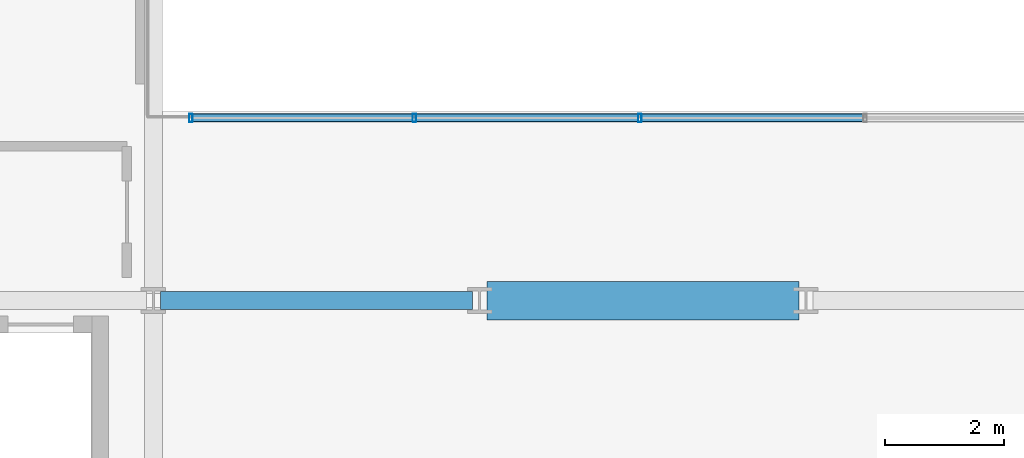
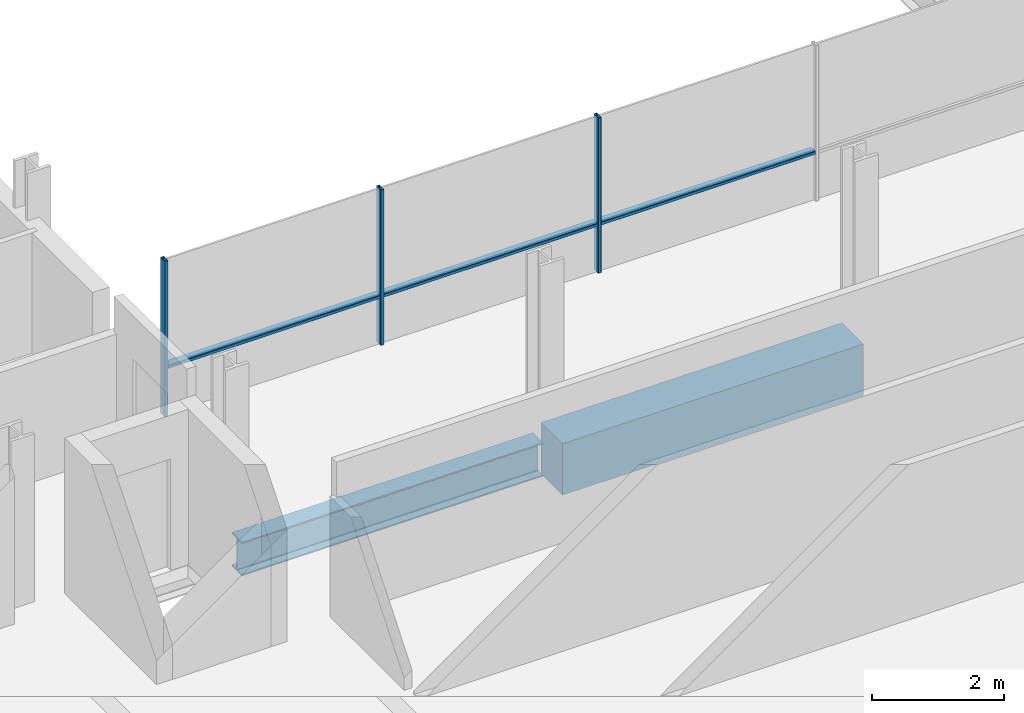
# One storey, part 4 of 40: 6 members, 2 beams, 1 element without a shape of its own.
"""IFC4 building model written with IfcOpenShell, lengths in metres."""

from ifc_helpers import new_model, si_unit, direction, frame, origin, origin_2d, place, context, subcontext, project, spatial, rectangle, hollow_rectangle, i_section, extrude, material, layer, layer_set, material_profile, profile_set, type_object, element, aggregate, save


model = new_model("IFC4")

# Units and contexts
model_context = context("Model", 3, precision=1e-05, world=origin(), true_north=direction((0.0, 1.0)))
body_context = subcontext(model_context, "Body", "Model", "MODEL_VIEW")
ifc_project = project(units=[si_unit("LENGTHUNIT", "METRE"), si_unit("AREAUNIT", "SQUARE_METRE"), si_unit("VOLUMEUNIT", "CUBIC_METRE"), si_unit("PLANEANGLEUNIT", "RADIAN"), si_unit("MASSUNIT", "GRAM", prefix="KILO")], contexts=[model_context])

# Site, building, storey
site_placement = place(None, origin())
site = spatial("IfcSite", under=ifc_project, at=site_placement, CompositionType="ELEMENT")
building_placement = place(site_placement, origin())
building = spatial("IfcBuilding", under=site, at=building_placement, Name="Brevholm Reach", CompositionType="ELEMENT")
storey_placement = place(building_placement, frame((0.0, 0.0, 62.10009765625)))
storey = spatial("IfcBuildingStorey", under=building, at=storey_placement, Name="L17", CompositionType="ELEMENT", Elevation=62.10009765625)

# Beams
ifc_material_1 = material(Name="Concrete C60/75", Category="concrete")
ifc_material_profile_1 = material_profile(ifc_material_1, rectangle(XDim=0.64990234375, YDim=0.949951171875, at=origin_2d()), Name="RC 650x950")
ifc_profile_set_1 = profile_set([ifc_material_profile_1], Name="Concrete C60/75")
beam_type_1 = type_object("IfcBeamType", Name="BM-CB650", PredefinedType="LINTEL", material=ifc_profile_set_1)
beam_1_placement = place(storey_placement, frame((27.3701171875, 10.0, -0.705078125), z_axis=(1.0, 0.0, 0.0), x_axis=(0.0, 1.0, 0.0)))
element("IfcBeam", 1, at=beam_1_placement, inside=storey, type_object=beam_type_1, Name="L17 CB-01 Framing Beam", PredefinedType="LINTEL", context=body_context, shape_type="SweptSolid", body=[
    extrude(rectangle(XDim=0.64990234375, YDim=0.949951171875, at=origin_2d()), origin(), (0.0, 0.0, 1.0), 5.259765625),
])
ifc_material_2 = material(Name="Structural Steel S355J2", Category="steel")
ifc_material_profile_2 = material_profile(ifc_material_2, i_section(OverallWidth=0.30712890625, OverallDepth=0.6201171875, WebThickness=0.01416015625, FlangeThickness=0.023681640625, FilletRadius=0.0166015625, at=origin_2d()), Name="UKB 610x305x179")
ifc_profile_set_2 = profile_set([ifc_material_profile_2], Name="Structural Steel S355J2")
beam_type_2 = type_object("IfcBeamType", Name="BM-UKB610H", PredefinedType="USERDEFINED", material=ifc_profile_set_2)
beam_2_placement = place(storey_placement, frame((21.8701171875, 10.0, -0.540283203125), z_axis=(1.0, 0.0, 0.0), x_axis=(0.0, 1.0, 0.0)))
element("IfcBeam", 2, at=beam_2_placement, inside=storey, type_object=beam_type_2, Name="L17 G-06 Framing Beam", ObjectType="GIRDER", PredefinedType="USERDEFINED", context=body_context, shape_type="SweptSolid", body=[
    extrude(i_section(OverallWidth=0.30712890625, OverallDepth=0.6201171875, WebThickness=0.01416015625, FlangeThickness=0.023681640625, FilletRadius=0.0166015625, at=origin_2d()), origin(), (0.0, 0.0, 1.0), 5.259765625),
])

# Curtain wall, members
ifc_material_3 = material(Name="Dark Anodised Aluminium 6063-T6 and Solar-Control Glass", Category="aluminium")
ifc_layer = layer(ifc_material_3, 0.139892578125)
ifc_layer_set = layer_set([ifc_layer], Name="Dark Anodised Aluminium 6063-T6 and Solar-Control Glass")
curtain_wall_type = type_object("IfcCurtainWallType", Name="CW-02", PredefinedType="NOTDEFINED", material=ifc_layer_set)
curtain_wall_placement = place(storey_placement, origin())
curtain_wall = element("IfcCurtainWall", 3, at=curtain_wall_placement, inside=storey, type_object=curtain_wall_type, Name="L17 Curtain Wall CW-02", PredefinedType="NOTDEFINED")
ifc_material_4 = material(Name="Dark Anodised Aluminium 6063-T6", Category="aluminium")
ifc_material_profile_3 = material_profile(ifc_material_4, hollow_rectangle(XDim=0.06005859375, YDim=0.139892578125, WallThickness=0.0048828125, InnerFilletRadius=0.0048828125, OuterFilletRadius=0.010009765625, at=origin_2d()), Name="RHS 140x60x5")
ifc_profile_set_3 = profile_set([ifc_material_profile_3], Name="Dark Anodised Aluminium 6063-T6")
member_type_1 = type_object("IfcMemberType", Name="CWM-140", PredefinedType="MULLION", material=ifc_profile_set_3)
member_1_placement = place(storey_placement, frame((22.3798828125, 13.080078125, 0.0), z_axis=(0.0, 0.0, 1.0), x_axis=(1.0, 0.0, 0.0)))
member_1 = element("IfcMember", 4, at=member_1_placement, type_object=member_type_1, Name="CM-140 Mullion 1", PredefinedType="MULLION", context=body_context, shape_type="SweptSolid", body=[
    extrude(hollow_rectangle(XDim=0.06005859375, YDim=0.139892578125, WallThickness=0.0048828125, InnerFilletRadius=0.0048828125, OuterFilletRadius=0.010009765625, at=origin_2d()), origin(), (0.0, 0.0, 1.0), 2.869873046875),
])
member_2_placement = place(storey_placement, frame((26.14990234375, 13.080078125, 0.0), z_axis=(0.0, 0.0, 1.0), x_axis=(1.0, 0.0, 0.0)))
member_2 = element("IfcMember", 5, at=member_2_placement, type_object=member_type_1, Name="CM-140 Mullion 2", PredefinedType="MULLION", context=body_context, shape_type="SweptSolid", body=[
    extrude(hollow_rectangle(XDim=0.06005859375, YDim=0.139892578125, WallThickness=0.0048828125, InnerFilletRadius=0.0048828125, OuterFilletRadius=0.010009765625, at=origin_2d()), origin(), (0.0, 0.0, 1.0), 2.869873046875),
])
member_3_placement = place(storey_placement, frame((29.949951171875, 13.080078125, 0.0), z_axis=(0.0, 0.0, 1.0), x_axis=(1.0, 0.0, 0.0)))
member_3 = element("IfcMember", 6, at=member_3_placement, type_object=member_type_1, Name="CM-140 Mullion 3", PredefinedType="MULLION", context=body_context, shape_type="SweptSolid", body=[
    extrude(hollow_rectangle(XDim=0.06005859375, YDim=0.139892578125, WallThickness=0.0048828125, InnerFilletRadius=0.0048828125, OuterFilletRadius=0.010009765625, at=origin_2d()), origin(), (0.0, 0.0, 1.0), 2.869873046875),
])
ifc_material_5 = material(Name="Dark Anodised Aluminium 6063-T6", Category="aluminium")
ifc_material_profile_4 = material_profile(ifc_material_5, hollow_rectangle(XDim=0.06005859375, YDim=0.139892578125, WallThickness=0.0048828125, InnerFilletRadius=0.0048828125, OuterFilletRadius=0.010009765625, at=origin_2d()), Name="RHS 140x60x5")
ifc_profile_set_4 = profile_set([ifc_material_profile_4], Name="Dark Anodised Aluminium 6063-T6")
member_type_2 = type_object("IfcMemberType", Name="CWT-140", PredefinedType="NOTDEFINED", material=ifc_profile_set_4)
member_4_placement = place(storey_placement, frame((22.409912109375, 13.080078125, 0.89990234375), z_axis=(1.0, 0.0, 0.0), x_axis=(0.0, 0.0, 1.0)))
member_4 = element("IfcMember", 7, at=member_4_placement, type_object=member_type_2, Name="CT-140 Transom 1.1", ObjectType="TRANSOM", PredefinedType="USERDEFINED", context=body_context, shape_type="SweptSolid", body=[
    extrude(hollow_rectangle(XDim=0.06005859375, YDim=0.139892578125, WallThickness=0.0048828125, InnerFilletRadius=0.0048828125, OuterFilletRadius=0.010009765625, at=origin_2d()), origin(), (0.0, 0.0, 1.0), 3.710205078125),
])
member_5_placement = place(storey_placement, frame((26.179931640625, 13.080078125, 0.89990234375), z_axis=(1.0, 0.0, 0.0), x_axis=(0.0, 0.0, 1.0)))
member_5 = element("IfcMember", 8, at=member_5_placement, type_object=member_type_2, Name="CT-140 Transom 2.1", ObjectType="TRANSOM", PredefinedType="USERDEFINED", context=body_context, shape_type="SweptSolid", body=[
    extrude(hollow_rectangle(XDim=0.06005859375, YDim=0.139892578125, WallThickness=0.0048828125, InnerFilletRadius=0.0048828125, OuterFilletRadius=0.010009765625, at=origin_2d()), origin(), (0.0, 0.0, 1.0), 3.739990234375),
])
member_6_placement = place(storey_placement, frame((29.97998046875, 13.080078125, 0.89990234375), z_axis=(1.0, 0.0, 0.0), x_axis=(0.0, 0.0, 1.0)))
member_6 = element("IfcMember", 9, at=member_6_placement, type_object=member_type_2, Name="CT-140 Transom 3.1", ObjectType="TRANSOM", PredefinedType="USERDEFINED", context=body_context, shape_type="SweptSolid", body=[
    extrude(hollow_rectangle(XDim=0.06005859375, YDim=0.139892578125, WallThickness=0.0048828125, InnerFilletRadius=0.0048828125, OuterFilletRadius=0.010009765625, at=origin_2d()), origin(), (0.0, 0.0, 1.0), 3.739990234375),
])
aggregate(curtain_wall, [member_1, member_2, member_3, member_4, member_5, member_6])

save(model, "model.ifc")
